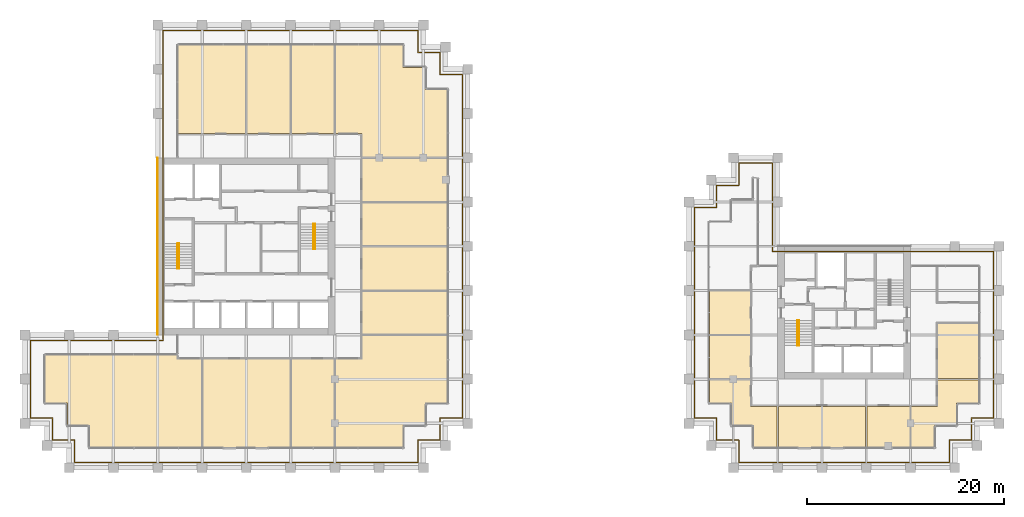
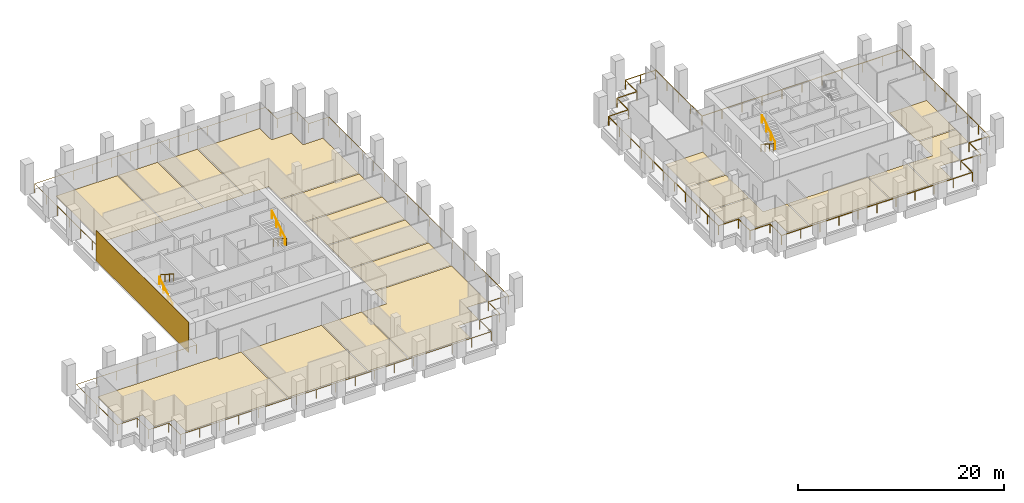
# One storey, part 46 of 47: 20 coverings, 8 railings.
"""IFC4 building model written with IfcOpenShell, lengths in metres."""

from ifc_helpers import new_model, si_unit, direction, frame, origin, origin_2d, place, context, subcontext, project, spatial, polyline, rectangle, circle, outline, extrude, source, transform, mapped, material, layer, layer_set, type_object, element, save


model = new_model("IFC4")

# Units and contexts
model_context = context("Model", 3, precision=1e-05, world=origin(), true_north=direction((0.0, 1.0)))
body_context = subcontext(model_context, "Body", "Model", "MODEL_VIEW")
ifc_project = project(units=[si_unit("LENGTHUNIT", "METRE"), si_unit("AREAUNIT", "SQUARE_METRE"), si_unit("VOLUMEUNIT", "CUBIC_METRE"), si_unit("PLANEANGLEUNIT", "RADIAN"), si_unit("MASSUNIT", "GRAM", prefix="KILO")], contexts=[model_context])

# Site, building, storey
site_placement = place(None, origin())
site = spatial("IfcSite", under=ifc_project, at=site_placement, CompositionType="ELEMENT")
building_placement = place(site_placement, origin())
building = spatial("IfcBuilding", under=site, at=building_placement, Name="Altepetl Exchange Towers", CompositionType="ELEMENT")
storey_placement = place(building_placement, frame((0.0, 0.0, 95.60009765625)))
storey = spatial("IfcBuildingStorey", under=building, at=storey_placement, Name="L23", CompositionType="ELEMENT", Elevation=95.60009765625)

# Coverings
ifc_material_1 = material(Name="Carpet tile")
ifc_layer_1 = layer(ifc_material_1, 0.02001953125)
ifc_layer_set_1 = layer_set([ifc_layer_1], Name="Carpet tile")
covering_type_1 = type_object("IfcCoveringType", Name="Carpet tile floor", PredefinedType="FLOORING", material=ifc_layer_set_1)
covering_1_placement = place(storey_placement, origin())
element("IfcCovering", 1, at=covering_1_placement, inside=storey, type_object=covering_type_1, Name="Open office floor finish A23.01", PredefinedType="FLOORING", context=body_context, shape_type="SweptSolid", body=[
    extrude(outline(polyline([(33.5625, 29.0625), (44.9375, 29.0625), (44.9375, 38.03759765625), (42.4375, 38.03759765625), (42.4375, 38.4375), (29.0625, 38.4375), (29.0625, 33.5625), (31.3125, 33.5625), (31.3125, 31.3125), (33.5625, 31.3125), (33.5625, 29.0625)])), origin(), (0.0, 0.0, 1.0), 0.02001953125),
])
covering_2_placement = place(storey_placement, origin())
element("IfcCovering", 2, at=covering_2_placement, inside=storey, type_object=covering_type_1, Name="Cowork office floor finish A23.04", PredefinedType="FLOORING", context=body_context, shape_type="SweptSolid", body=[
    extrude(outline(polyline([(58.5625, 38.03759765625), (58.5625, 29.0625), (65.4375, 29.0625), (65.4375, 31.3125), (67.6875, 31.3125), (67.6875, 33.5625), (69.9375, 33.5625), (69.9375, 40.4375), (61.262451171875, 40.4375), (61.262451171875, 38.03759765625), (58.5625, 38.03759765625)])), origin(), (0.0, 0.0, 1.0), 0.02001953125),
])
covering_3_placement = place(storey_placement, origin())
element("IfcCovering", 3, at=covering_3_placement, inside=storey, type_object=covering_type_1, Name="Meeting room floor finish A23.05", PredefinedType="FLOORING", context=body_context, shape_type="SweptSolid", body=[
    extrude(outline(polyline([(69.9375, 44.9375), (61.262451171875, 44.9375), (61.262451171875, 40.5625), (69.9375, 40.5625), (69.9375, 44.9375)])), origin(), (0.0, 0.0, 1.0), 0.02001953125),
])
covering_4_placement = place(storey_placement, origin())
element("IfcCovering", 4, at=covering_4_placement, inside=storey, type_object=covering_type_1, Name="Training room floor finish A23.06", PredefinedType="FLOORING", context=body_context, shape_type="SweptSolid", body=[
    extrude(outline(polyline([(69.9375, 49.4375), (61.262451171875, 49.4375), (61.262451171875, 45.0625), (69.9375, 45.0625), (69.9375, 49.4375)])), origin(), (0.0, 0.0, 1.0), 0.02001953125),
])
covering_5_placement = place(storey_placement, origin())
element("IfcCovering", 5, at=covering_5_placement, inside=storey, type_object=covering_type_1, Name="Meeting room floor finish A23.07", PredefinedType="FLOORING", context=body_context, shape_type="SweptSolid", body=[
    extrude(outline(polyline([(69.9375, 53.9375), (61.262451171875, 53.9375), (61.262451171875, 49.5625), (69.9375, 49.5625), (69.9375, 53.9375)])), origin(), (0.0, 0.0, 1.0), 0.02001953125),
])
covering_6_placement = place(storey_placement, origin())
element("IfcCovering", 6, at=covering_6_placement, inside=storey, type_object=covering_type_1, Name="Training room floor finish A23.08", PredefinedType="FLOORING", context=body_context, shape_type="SweptSolid", body=[
    extrude(outline(polyline([(69.9375, 58.4375), (61.262451171875, 58.4375), (61.262451171875, 54.0625), (69.9375, 54.0625), (69.9375, 58.4375)])), origin(), (0.0, 0.0, 1.0), 0.02001953125),
])
covering_7_placement = place(storey_placement, origin())
element("IfcCovering", 7, at=covering_7_placement, inside=storey, type_object=covering_type_1, Name="Cowork office floor finish A23.10", PredefinedType="FLOORING", context=body_context, shape_type="SweptSolid", body=[
    extrude(outline(polyline([(58.4375, 60.96240234375), (58.4375, 69.9375), (54.0625, 69.9375), (54.0625, 60.96240234375), (58.4375, 60.96240234375)])), origin(), (0.0, 0.0, 1.0), 0.02001953125),
])
covering_8_placement = place(storey_placement, origin())
element("IfcCovering", 8, at=covering_8_placement, inside=storey, type_object=covering_type_1, Name="Open office floor finish A23.12", PredefinedType="FLOORING", context=body_context, shape_type="SweptSolid", body=[
    extrude(outline(polyline([(49.4375, 60.96240234375), (49.4375, 69.9375), (42.5625, 69.9375), (42.5625, 60.96240234375), (49.4375, 60.96240234375)])), origin(), (0.0, 0.0, 1.0), 0.02001953125),
])
covering_9_placement = place(storey_placement, origin())
element("IfcCovering", 9, at=covering_9_placement, inside=storey, type_object=covering_type_1, Name="Huddle room floor finish B23.01", PredefinedType="FLOORING", context=body_context, shape_type="SweptSolid", body=[
    extrude(outline(polyline([(100.737548828125, 44.9375), (96.5625, 44.9375), (96.5625, 40.5625), (100.737548828125, 40.5625), (100.737548828125, 44.9375)])), origin(), (0.0, 0.0, 1.0), 0.02001953125),
])
covering_10_placement = place(storey_placement, origin())
element("IfcCovering", 10, at=covering_10_placement, inside=storey, type_object=covering_type_1, Name="Huddle room floor finish B23.02", PredefinedType="FLOORING", context=body_context, shape_type="SweptSolid", body=[
    extrude(outline(polyline([(100.737548828125, 40.4375), (96.5625, 40.4375), (96.5625, 36.0625), (100.737548828125, 36.0625), (100.737548828125, 40.4375)])), origin(), (0.0, 0.0, 1.0), 0.02001953125),
])
covering_11_placement = place(storey_placement, origin())
element("IfcCovering", 11, at=covering_11_placement, inside=storey, type_object=covering_type_1, Name="Open office floor finish B23.03", PredefinedType="FLOORING", context=body_context, shape_type="SweptSolid", body=[
    extrude(outline(polyline([(100.737548828125, 35.9375), (96.5625, 35.9375), (96.5625, 33.5625), (98.8125, 33.5625), (98.8125, 31.3125), (101.0625, 31.3125), (101.0625, 29.0625), (103.4375, 29.0625), (103.4375, 33.237548828125), (100.737548828125, 33.237548828125), (100.737548828125, 35.9375)])), origin(), (0.0, 0.0, 1.0), 0.02001953125),
])
covering_12_placement = place(storey_placement, origin())
element("IfcCovering", 12, at=covering_12_placement, inside=storey, type_object=covering_type_1, Name="Huddle room floor finish B23.05", PredefinedType="FLOORING", context=body_context, shape_type="SweptSolid", body=[
    extrude(outline(polyline([(112.5625, 33.237548828125), (112.5625, 29.0625), (116.9375, 29.0625), (116.9375, 33.237548828125), (112.5625, 33.237548828125)])), origin(), (0.0, 0.0, 1.0), 0.02001953125),
])
covering_13_placement = place(storey_placement, origin())
element("IfcCovering", 13, at=covering_13_placement, inside=storey, type_object=covering_type_1, Name="Open office floor finish B23.06", PredefinedType="FLOORING", context=body_context, shape_type="SweptSolid", body=[
    extrude(outline(polyline([(117.0625, 33.237548828125), (117.0625, 29.0625), (119.4375, 29.0625), (119.4375, 31.3125), (121.6875, 31.3125), (121.6875, 33.5625), (123.9375, 33.5625), (123.9375, 35.9375), (119.762451171875, 35.9375), (119.762451171875, 33.237548828125), (117.0625, 33.237548828125)])), origin(), (0.0, 0.0, 1.0), 0.02001953125),
])
covering_14_placement = place(storey_placement, origin())
element("IfcCovering", 14, at=covering_14_placement, inside=storey, type_object=covering_type_1, Name="Research office floor finish B23.07", PredefinedType="FLOORING", context=body_context, shape_type="SweptSolid", body=[
    extrude(outline(polyline([(119.762451171875, 41.637451171875), (119.762451171875, 36.0625), (123.9375, 36.0625), (123.9375, 41.637451171875), (119.762451171875, 41.637451171875)])), origin(), (0.0, 0.0, 1.0), 0.02001953125),
])
ifc_material_2 = material(Name="Cantera stone", Category="masonry")
ifc_layer_2 = layer(ifc_material_2, 0.030029296875)
ifc_layer_set_2 = layer_set([ifc_layer_2], Name="Cantera stone")
covering_type_2 = type_object("IfcCoveringType", Name="Polished stone floor", PredefinedType="FLOORING", material=ifc_layer_set_2)
covering_15_placement = place(storey_placement, origin())
element("IfcCovering", 15, at=covering_15_placement, inside=storey, type_object=covering_type_2, Name="Cafe floor finish A23.02", PredefinedType="FLOORING", context=body_context, shape_type="SweptSolid", body=[
    extrude(outline(polyline([(45.0625, 38.03759765625), (45.0625, 29.0625), (53.9375, 29.0625), (53.9375, 38.03759765625), (45.0625, 38.03759765625)])), origin(), (0.0, 0.0, 1.0), 0.02978515625),
])
covering_16_placement = place(storey_placement, origin())
element("IfcCovering", 16, at=covering_16_placement, inside=storey, type_object=covering_type_2, Name="Cafe floor finish A23.03", PredefinedType="FLOORING", context=body_context, shape_type="SweptSolid", body=[
    extrude(outline(polyline([(54.0625, 38.03759765625), (54.0625, 29.0625), (58.4375, 29.0625), (58.4375, 38.03759765625), (54.0625, 38.03759765625)])), origin(), (0.0, 0.0, 1.0), 0.02978515625),
])
covering_17_placement = place(storey_placement, origin())
element("IfcCovering", 17, at=covering_17_placement, inside=storey, type_object=covering_type_2, Name="Cafe floor finish A23.09", PredefinedType="FLOORING", context=body_context, shape_type="SweptSolid", body=[
    extrude(outline(polyline([(65.4375, 69.9375), (58.5625, 69.9375), (58.5625, 60.96240234375), (61.262451171875, 60.96240234375), (61.262451171875, 58.5625), (69.9375, 58.5625), (69.9375, 65.4375), (67.6875, 65.4375), (67.6875, 67.6875), (65.4375, 67.6875), (65.4375, 69.9375)])), origin(), (0.0, 0.0, 1.0), 0.02978515625),
])
covering_18_placement = place(storey_placement, origin())
element("IfcCovering", 18, at=covering_18_placement, inside=storey, type_object=covering_type_2, Name="Cafe floor finish A23.11", PredefinedType="FLOORING", context=body_context, shape_type="SweptSolid", body=[
    extrude(outline(polyline([(53.9375, 60.96240234375), (53.9375, 69.9375), (49.5625, 69.9375), (49.5625, 60.96240234375), (53.9375, 60.96240234375)])), origin(), (0.0, 0.0, 1.0), 0.02978515625),
])
covering_19_placement = place(storey_placement, origin())
element("IfcCovering", 19, at=covering_19_placement, inside=storey, type_object=covering_type_2, Name="Staff club floor finish B23.04", PredefinedType="FLOORING", context=body_context, shape_type="SweptSolid", body=[
    extrude(outline(polyline([(103.5625, 33.237548828125), (103.5625, 29.0625), (112.4375, 29.0625), (112.4375, 33.237548828125), (103.5625, 33.237548828125)])), origin(), (0.0, 0.0, 1.0), 0.02978515625),
])
ifc_material_3 = material(Name="Cantera limestone cladding", Category="masonry")
ifc_layer_3 = layer(ifc_material_3, 0.0400390625)
ifc_layer_set_3 = layer_set([ifc_layer_3], Name="Cantera limestone cladding")
covering_type_3 = type_object("IfcCoveringType", Name="Stone panel 40 cantera", PredefinedType="CLADDING", material=ifc_layer_set_3)
covering_20_placement = place(storey_placement, frame((40.47998046875, 49.5, -0.000244140625), z_axis=(0.0, 0.0, 1.0), x_axis=(0.0, -1.0, 0.0)))
element("IfcCovering", 20, at=covering_20_placement, inside=storey, type_object=covering_type_3, Name="Stone cladding panel", PredefinedType="CLADDING", context=body_context, shape_type="SweptSolid", body=[
    extrude(rectangle(XDim=18.0, YDim=0.0400390625, at=origin_2d()), origin(), (0.0, 0.0, 1.0), 3.60009765625),
])

# Railings
ifc_material_4 = material(Name="Steel S355", Category="steel")
railing_type_1 = type_object("IfcRailingType", Name="Guard 1100 steel posts and rail", PredefinedType="GUARDRAIL", material=ifc_material_4)
shared_shape_1 = source(origin(), body_context, "Body", "SweptSolid", [
    extrude(circle(Radius=0.02099609375, at=origin_2d()), origin(), (0.0, 0.0, 1.0), 1.052001953125),
])
railing_1_placement = place(storey_placement, frame((41.050048828125, 39.949951171875, 0.0)))
element("IfcRailing", 21, at=railing_1_placement, inside=storey, type_object=railing_type_1, Name="Loggia guard", PredefinedType="GUARDRAIL", context=body_context, shape_type="SweptSolid", body=[
    extrude(circle(Radius=0.02392578125, at=origin_2d()), frame((0.0, 0.0, 1.076171875), z_axis=(-1.0, 0.0, 0.0), x_axis=(0.0, -1.0, 0.0)), (0.0, 0.0, 1.0), 13.5),
    extrude(circle(Radius=0.02392578125, at=origin_2d()), frame((-13.5, 0.0, 1.076171875), z_axis=(0.0, -1.0, 0.0), x_axis=(1.0, 0.0, 0.0)), (0.0, 0.0, 1.0), 7.89990234375),
    extrude(circle(Radius=0.02392578125, at=origin_2d()), frame((-13.5, -7.89990234375, 1.076171875), z_axis=(1.0, 0.0, 0.0), x_axis=(0.0, 1.0, 0.0)), (0.0, 0.0, 1.0), 2.25),
    extrude(circle(Radius=0.02392578125, at=origin_2d()), frame((-11.25, -7.89990234375, 1.076171875), z_axis=(0.0, -1.0, 0.0), x_axis=(1.0, 0.0, 0.0)), (0.0, 0.0, 1.0), 2.25),
    extrude(circle(Radius=0.02392578125, at=origin_2d()), frame((-11.25, -10.14990234375, 1.076171875), z_axis=(1.0, 0.0, 0.0), x_axis=(0.0, 1.0, 0.0)), (0.0, 0.0, 1.0), 2.25),
    extrude(circle(Radius=0.02392578125, at=origin_2d()), frame((-9.0, -10.14990234375, 1.076171875), z_axis=(0.0, -1.0, 0.0), x_axis=(1.0, 0.0, 0.0)), (0.0, 0.0, 1.0), 2.25),
    extrude(circle(Radius=0.02392578125, at=origin_2d()), frame((-9.0, -12.39990234375, 1.076171875), z_axis=(1.0, 0.0, 0.0), x_axis=(0.0, 1.0, 0.0)), (0.0, 0.0, 1.0), 34.89990234375),
    extrude(circle(Radius=0.02392578125, at=origin_2d()), frame((25.89990234375, -12.39990234375, 1.076171875), z_axis=(0.0, 1.0, 0.0), x_axis=(-1.0, 0.0, 0.0)), (0.0, 0.0, 1.0), 2.25),
    extrude(circle(Radius=0.02392578125, at=origin_2d()), frame((25.89990234375, -10.14990234375, 1.076171875), z_axis=(1.0, 0.0, 0.0), x_axis=(0.0, 1.0, 0.0)), (0.0, 0.0, 1.0), 2.25),
    extrude(circle(Radius=0.02392578125, at=origin_2d()), frame((28.14990234375, -10.14990234375, 1.076171875), z_axis=(0.0, 1.0, 0.0), x_axis=(-1.0, 0.0, 0.0)), (0.0, 0.0, 1.0), 2.25),
    extrude(circle(Radius=0.02392578125, at=origin_2d()), frame((28.14990234375, -7.89990234375, 1.076171875), z_axis=(1.0, 0.0, 0.0), x_axis=(0.0, 1.0, 0.0)), (0.0, 0.0, 1.0), 2.25),
    extrude(circle(Radius=0.02392578125, at=origin_2d()), frame((30.39990234375, -7.89990234375, 1.076171875), z_axis=(0.0, 1.0, 0.0), x_axis=(-1.0, 0.0, 0.0)), (0.0, 0.0, 1.0), 34.89990234375),
    extrude(circle(Radius=0.02392578125, at=origin_2d()), frame((30.39990234375, 27.0, 1.076171875), z_axis=(-1.0, 0.0, 0.0), x_axis=(0.0, -1.0, 0.0)), (0.0, 0.0, 1.0), 2.25),
    extrude(circle(Radius=0.02392578125, at=origin_2d()), frame((28.14990234375, 27.0, 1.076171875), z_axis=(0.0, 1.0, 0.0), x_axis=(-1.0, 0.0, 0.0)), (0.0, 0.0, 1.0), 2.25),
    extrude(circle(Radius=0.02392578125, at=origin_2d()), frame((28.14990234375, 29.25, 1.076171875), z_axis=(-1.0, 0.0, 0.0), x_axis=(0.0, -1.0, 0.0)), (0.0, 0.0, 1.0), 2.25),
    extrude(circle(Radius=0.02392578125, at=origin_2d()), frame((25.89990234375, 29.25, 1.076171875), z_axis=(0.0, 1.0, 0.0), x_axis=(-1.0, 0.0, 0.0)), (0.0, 0.0, 1.0), 2.25),
    extrude(circle(Radius=0.02392578125, at=origin_2d()), frame((25.89990234375, 31.5, 1.076171875), z_axis=(-1.0, 0.0, 0.0), x_axis=(0.0, -1.0, 0.0)), (0.0, 0.0, 1.0), 25.89990234375),
    extrude(circle(Radius=0.02392578125, at=origin_2d()), frame((0.0, 31.5, 1.076171875), z_axis=(0.0, -1.0, 0.0), x_axis=(1.0, 0.0, 0.0)), (0.0, 0.0, 1.0), 31.39990234375),
    mapped(shared_shape_1, transform((0.0, 0.0, 0.0))),
    mapped(shared_shape_1, transform((-2.25, 0.0, 0.0))),
    mapped(shared_shape_1, transform((-4.5, 0.0, 0.0))),
    mapped(shared_shape_1, transform((-6.75, 0.0, 0.0))),
    mapped(shared_shape_1, transform((-9.0, 0.0, 0.0))),
    mapped(shared_shape_1, transform((-11.25, 0.0, 0.0))),
    mapped(shared_shape_1, transform((-13.5, 0.0, 0.0))),
    mapped(shared_shape_1, transform((-13.5, -1.97509765625, 0.0))),
    mapped(shared_shape_1, transform((-13.5, -3.949951171875, 0.0))),
    mapped(shared_shape_1, transform((-13.5, -5.9248046875, 0.0))),
    mapped(shared_shape_1, transform((-13.5, -7.89990234375, 0.0))),
    mapped(shared_shape_1, transform((-11.25, -7.89990234375, 0.0))),
    mapped(shared_shape_1, transform((-11.25, -10.14990234375, 0.0))),
    mapped(shared_shape_1, transform((-9.0, -10.14990234375, 0.0))),
    mapped(shared_shape_1, transform((-9.0, -12.39990234375, 0.0))),
    mapped(shared_shape_1, transform((-6.81884765625, -12.39990234375, 0.0))),
    mapped(shared_shape_1, transform((-4.637451171875, -12.39990234375, 0.0))),
    mapped(shared_shape_1, transform((-2.456298828125, -12.39990234375, 0.0))),
    mapped(shared_shape_1, transform((-0.27490234375, -12.39990234375, 0.0))),
    mapped(shared_shape_1, transform((1.90625, -12.39990234375, 0.0))),
    mapped(shared_shape_1, transform((4.08740234375, -12.39990234375, 0.0))),
    mapped(shared_shape_1, transform((6.268798828125, -12.39990234375, 0.0))),
    mapped(shared_shape_1, transform((8.449951171875, -12.39990234375, 0.0))),
    mapped(shared_shape_1, transform((10.631103515625, -12.39990234375, 0.0))),
    mapped(shared_shape_1, transform((12.8125, -12.39990234375, 0.0))),
    mapped(shared_shape_1, transform((14.99365234375, -12.39990234375, 0.0))),
    mapped(shared_shape_1, transform((17.1748046875, -12.39990234375, 0.0))),
    mapped(shared_shape_1, transform((19.356201171875, -12.39990234375, 0.0))),
    mapped(shared_shape_1, transform((21.537353515625, -12.39990234375, 0.0))),
    mapped(shared_shape_1, transform((23.71875, -12.39990234375, 0.0))),
    mapped(shared_shape_1, transform((25.89990234375, -12.39990234375, 0.0))),
    mapped(shared_shape_1, transform((25.89990234375, -10.14990234375, 0.0))),
    mapped(shared_shape_1, transform((28.14990234375, -10.14990234375, 0.0))),
    mapped(shared_shape_1, transform((28.14990234375, -7.89990234375, 0.0))),
    mapped(shared_shape_1, transform((30.39990234375, -7.89990234375, 0.0))),
    mapped(shared_shape_1, transform((30.39990234375, -5.71875, 0.0))),
    mapped(shared_shape_1, transform((30.39990234375, -3.537353515625, 0.0))),
    mapped(shared_shape_1, transform((30.39990234375, -1.356201171875, 0.0))),
    mapped(shared_shape_1, transform((30.39990234375, 0.8251953125, 0.0))),
    mapped(shared_shape_1, transform((30.39990234375, 3.00634765625, 0.0))),
    mapped(shared_shape_1, transform((30.39990234375, 5.1875, 0.0))),
    mapped(shared_shape_1, transform((30.39990234375, 7.368896484375, 0.0))),
    mapped(shared_shape_1, transform((30.39990234375, 9.550048828125, 0.0))),
    mapped(shared_shape_1, transform((30.39990234375, 11.731201171875, 0.0))),
    mapped(shared_shape_1, transform((30.39990234375, 13.91259765625, 0.0))),
    mapped(shared_shape_1, transform((30.39990234375, 16.09375, 0.0))),
    mapped(shared_shape_1, transform((30.39990234375, 18.27490234375, 0.0))),
    mapped(shared_shape_1, transform((30.39990234375, 20.456298828125, 0.0))),
    mapped(shared_shape_1, transform((30.39990234375, 22.637451171875, 0.0))),
    mapped(shared_shape_1, transform((30.39990234375, 24.81884765625, 0.0))),
    mapped(shared_shape_1, transform((30.39990234375, 27.0, 0.0))),
    mapped(shared_shape_1, transform((28.14990234375, 27.0, 0.0))),
    mapped(shared_shape_1, transform((28.14990234375, 29.25, 0.0))),
    mapped(shared_shape_1, transform((25.89990234375, 29.25, 0.0))),
    mapped(shared_shape_1, transform((25.89990234375, 31.5, 0.0))),
    mapped(shared_shape_1, transform((23.74169921875, 31.5, 0.0))),
    mapped(shared_shape_1, transform((21.583251953125, 31.5, 0.0))),
    mapped(shared_shape_1, transform((19.4248046875, 31.5, 0.0))),
    mapped(shared_shape_1, transform((17.2666015625, 31.5, 0.0))),
    mapped(shared_shape_1, transform((15.1083984375, 31.5, 0.0))),
    mapped(shared_shape_1, transform((12.949951171875, 31.5, 0.0))),
    mapped(shared_shape_1, transform((10.79150390625, 31.5, 0.0))),
    mapped(shared_shape_1, transform((8.63330078125, 31.5, 0.0))),
    mapped(shared_shape_1, transform((6.47509765625, 31.5, 0.0))),
    mapped(shared_shape_1, transform((4.316650390625, 31.5, 0.0))),
    mapped(shared_shape_1, transform((2.158203125, 31.5, 0.0))),
    mapped(shared_shape_1, transform((0.0, 31.5, 0.0))),
    mapped(shared_shape_1, transform((0.0, 29.257080078125, 0.0))),
    mapped(shared_shape_1, transform((0.0, 27.014404296875, 0.0))),
    mapped(shared_shape_1, transform((0.0, 24.771484375, 0.0))),
    mapped(shared_shape_1, transform((0.0, 22.528564453125, 0.0))),
    mapped(shared_shape_1, transform((0.0, 20.28564453125, 0.0))),
    mapped(shared_shape_1, transform((0.0, 18.04296875, 0.0))),
    mapped(shared_shape_1, transform((0.0, 15.800048828125, 0.0))),
    mapped(shared_shape_1, transform((0.0, 13.55712890625, 0.0))),
    mapped(shared_shape_1, transform((0.0, 11.314453125, 0.0))),
    mapped(shared_shape_1, transform((0.0, 9.071533203125, 0.0))),
    mapped(shared_shape_1, transform((0.0, 6.82861328125, 0.0))),
    mapped(shared_shape_1, transform((0.0, 4.585693359375, 0.0))),
    mapped(shared_shape_1, transform((0.0, 2.343017578125, 0.0))),
    mapped(shared_shape_1, transform((0.0, 0.10009765625, 0.0))),
])
railing_2_placement = place(storey_placement, frame((95.050048828125, 53.449951171875, 0.0)))
element("IfcRailing", 22, at=railing_2_placement, inside=storey, type_object=railing_type_1, Name="Loggia guard", PredefinedType="GUARDRAIL", context=body_context, shape_type="SweptSolid", body=[
    extrude(circle(Radius=0.02392578125, at=origin_2d()), frame((0.0, 0.0, 1.076171875), z_axis=(0.0, -1.0, 0.0), x_axis=(1.0, 0.0, 0.0)), (0.0, 0.0, 1.0), 21.39990234375),
    extrude(circle(Radius=0.02392578125, at=origin_2d()), frame((0.0, -21.39990234375, 1.076171875), z_axis=(1.0, 0.0, 0.0), x_axis=(0.0, 1.0, 0.0)), (0.0, 0.0, 1.0), 2.25),
    extrude(circle(Radius=0.02392578125, at=origin_2d()), frame((2.25, -21.39990234375, 1.076171875), z_axis=(0.0, -1.0, 0.0), x_axis=(1.0, 0.0, 0.0)), (0.0, 0.0, 1.0), 2.25),
    extrude(circle(Radius=0.02392578125, at=origin_2d()), frame((2.25, -23.64990234375, 1.076171875), z_axis=(1.0, 0.0, 0.0), x_axis=(0.0, 1.0, 0.0)), (0.0, 0.0, 1.0), 2.25),
    extrude(circle(Radius=0.02392578125, at=origin_2d()), frame((4.5, -23.64990234375, 1.076171875), z_axis=(0.0, -1.0, 0.0), x_axis=(1.0, 0.0, 0.0)), (0.0, 0.0, 1.0), 2.25),
    extrude(circle(Radius=0.02392578125, at=origin_2d()), frame((4.5, -25.89990234375, 1.076171875), z_axis=(1.0, 0.0, 0.0), x_axis=(0.0, 1.0, 0.0)), (0.0, 0.0, 1.0), 21.39990234375),
    extrude(circle(Radius=0.02392578125, at=origin_2d()), frame((25.89990234375, -25.89990234375, 1.076171875), z_axis=(0.0, 1.0, 0.0), x_axis=(-1.0, 0.0, 0.0)), (0.0, 0.0, 1.0), 2.25),
    extrude(circle(Radius=0.02392578125, at=origin_2d()), frame((25.89990234375, -23.64990234375, 1.076171875), z_axis=(1.0, 0.0, 0.0), x_axis=(0.0, 1.0, 0.0)), (0.0, 0.0, 1.0), 2.25),
    extrude(circle(Radius=0.02392578125, at=origin_2d()), frame((28.14990234375, -23.64990234375, 1.076171875), z_axis=(0.0, 1.0, 0.0), x_axis=(-1.0, 0.0, 0.0)), (0.0, 0.0, 1.0), 2.25),
    extrude(circle(Radius=0.02392578125, at=origin_2d()), frame((28.14990234375, -21.39990234375, 1.076171875), z_axis=(1.0, 0.0, 0.0), x_axis=(0.0, 1.0, 0.0)), (0.0, 0.0, 1.0), 2.25),
    extrude(circle(Radius=0.02392578125, at=origin_2d()), frame((30.39990234375, -21.39990234375, 1.076171875), z_axis=(0.0, 1.0, 0.0), x_axis=(-1.0, 0.0, 0.0)), (0.0, 0.0, 1.0), 16.89990234375),
    extrude(circle(Radius=0.02392578125, at=origin_2d()), frame((30.39990234375, -4.5, 1.076171875), z_axis=(-1.0, 0.0, 0.0), x_axis=(0.0, -1.0, 0.0)), (0.0, 0.0, 1.0), 22.5),
    extrude(circle(Radius=0.02392578125, at=origin_2d()), frame((7.89990234375, -4.5, 1.076171875), z_axis=(0.0, 1.0, 0.0), x_axis=(-1.0, 0.0, 0.0)), (0.0, 0.0, 1.0), 9.0),
    extrude(circle(Radius=0.02392578125, at=origin_2d()), frame((7.89990234375, 4.5, 1.076171875), z_axis=(-1.0, 0.0, 0.0), x_axis=(0.0, -1.0, 0.0)), (0.0, 0.0, 1.0), 3.39990234375),
    extrude(circle(Radius=0.02392578125, at=origin_2d()), frame((4.5, 4.5, 1.076171875), z_axis=(0.0, -1.0, 0.0), x_axis=(1.0, 0.0, 0.0)), (0.0, 0.0, 1.0), 2.25),
    extrude(circle(Radius=0.02392578125, at=origin_2d()), frame((4.5, 2.25, 1.076171875), z_axis=(-1.0, 0.0, 0.0), x_axis=(0.0, -1.0, 0.0)), (0.0, 0.0, 1.0), 2.25),
    extrude(circle(Radius=0.02392578125, at=origin_2d()), frame((2.25, 2.25, 1.076171875), z_axis=(0.0, -1.0, 0.0), x_axis=(1.0, 0.0, 0.0)), (0.0, 0.0, 1.0), 2.25),
    extrude(circle(Radius=0.02392578125, at=origin_2d()), frame((2.25, 0.0, 1.076171875), z_axis=(-1.0, 0.0, 0.0), x_axis=(0.0, -1.0, 0.0)), (0.0, 0.0, 1.0), 2.150146484375),
    mapped(shared_shape_1, transform((0.0, 0.0, 0.0))),
    mapped(shared_shape_1, transform((0.0, -2.139892578125, 0.0))),
    mapped(shared_shape_1, transform((0.0, -4.280029296875, 0.0))),
    mapped(shared_shape_1, transform((0.0, -6.419921875, 0.0))),
    mapped(shared_shape_1, transform((0.0, -8.56005859375, 0.0))),
    mapped(shared_shape_1, transform((0.0, -10.699951171875, 0.0))),
    mapped(shared_shape_1, transform((0.0, -12.83984375, 0.0))),
    mapped(shared_shape_1, transform((0.0, -14.97998046875, 0.0))),
    mapped(shared_shape_1, transform((0.0, -17.119873046875, 0.0))),
    mapped(shared_shape_1, transform((0.0, -19.260009765625, 0.0))),
    mapped(shared_shape_1, transform((0.0, -21.39990234375, 0.0))),
    mapped(shared_shape_1, transform((2.25, -21.39990234375, 0.0))),
    mapped(shared_shape_1, transform((2.25, -23.64990234375, 0.0))),
    mapped(shared_shape_1, transform((4.5, -23.64990234375, 0.0))),
    mapped(shared_shape_1, transform((4.5, -25.89990234375, 0.0))),
    mapped(shared_shape_1, transform((6.639892578125, -25.89990234375, 0.0))),
    mapped(shared_shape_1, transform((8.780029296875, -25.89990234375, 0.0))),
    mapped(shared_shape_1, transform((10.919921875, -25.89990234375, 0.0))),
    mapped(shared_shape_1, transform((13.06005859375, -25.89990234375, 0.0))),
    mapped(shared_shape_1, transform((15.199951171875, -25.89990234375, 0.0))),
    mapped(shared_shape_1, transform((17.33984375, -25.89990234375, 0.0))),
    mapped(shared_shape_1, transform((19.47998046875, -25.89990234375, 0.0))),
    mapped(shared_shape_1, transform((21.619873046875, -25.89990234375, 0.0))),
    mapped(shared_shape_1, transform((23.760009765625, -25.89990234375, 0.0))),
    mapped(shared_shape_1, transform((25.89990234375, -25.89990234375, 0.0))),
    mapped(shared_shape_1, transform((25.89990234375, -23.64990234375, 0.0))),
    mapped(shared_shape_1, transform((28.14990234375, -23.64990234375, 0.0))),
    mapped(shared_shape_1, transform((28.14990234375, -21.39990234375, 0.0))),
    mapped(shared_shape_1, transform((30.39990234375, -21.39990234375, 0.0))),
    mapped(shared_shape_1, transform((30.39990234375, -19.287353515625, 0.0))),
    mapped(shared_shape_1, transform((30.39990234375, -17.1748046875, 0.0))),
    mapped(shared_shape_1, transform((30.39990234375, -15.0625, 0.0))),
    mapped(shared_shape_1, transform((30.39990234375, -12.949951171875, 0.0))),
    mapped(shared_shape_1, transform((30.39990234375, -10.83740234375, 0.0))),
    mapped(shared_shape_1, transform((30.39990234375, -8.72509765625, 0.0))),
    mapped(shared_shape_1, transform((30.39990234375, -6.612548828125, 0.0))),
    mapped(shared_shape_1, transform((30.39990234375, -4.5, 0.0))),
    mapped(shared_shape_1, transform((28.14990234375, -4.5, 0.0))),
    mapped(shared_shape_1, transform((25.89990234375, -4.5, 0.0))),
    mapped(shared_shape_1, transform((23.64990234375, -4.5, 0.0))),
    mapped(shared_shape_1, transform((21.39990234375, -4.5, 0.0))),
    mapped(shared_shape_1, transform((19.14990234375, -4.5, 0.0))),
    mapped(shared_shape_1, transform((16.89990234375, -4.5, 0.0))),
    mapped(shared_shape_1, transform((14.64990234375, -4.5, 0.0))),
    mapped(shared_shape_1, transform((12.39990234375, -4.5, 0.0))),
    mapped(shared_shape_1, transform((10.14990234375, -4.5, 0.0))),
    mapped(shared_shape_1, transform((7.89990234375, -4.5, 0.0))),
    mapped(shared_shape_1, transform((7.89990234375, -2.25, 0.0))),
    mapped(shared_shape_1, transform((7.89990234375, 0.0, 0.0))),
    mapped(shared_shape_1, transform((7.89990234375, 2.25, 0.0))),
    mapped(shared_shape_1, transform((7.89990234375, 4.5, 0.0))),
    mapped(shared_shape_1, transform((6.199951171875, 4.5, 0.0))),
    mapped(shared_shape_1, transform((4.5, 4.5, 0.0))),
    mapped(shared_shape_1, transform((4.5, 2.25, 0.0))),
    mapped(shared_shape_1, transform((2.25, 2.25, 0.0))),
    mapped(shared_shape_1, transform((2.25, 0.0, 0.0))),
    mapped(shared_shape_1, transform((0.099853515625, 0.0, 0.0))),
])
ifc_material_5 = material(Name="Steel", Category="steel")
railing_type_2 = type_object("IfcRailingType", Name="Stair handrail 50 steel tube", PredefinedType="HANDRAIL", material=ifc_material_5)
shared_shape_2 = source(origin(), body_context, "Body", "SweptSolid", [
    extrude(circle(Radius=0.02099609375, at=origin_2d()), origin(), (0.0, 0.0, 1.0), 0.851806640625),
])
railing_3_placement = place(storey_placement, frame((42.52001953125, 47.25, 0.179931640625)))
element("IfcRailing", 23, at=railing_3_placement, inside=storey, type_object=railing_type_2, Name="Stair handrail", PredefinedType="HANDRAIL", context=body_context, shape_type="SweptSolid", body=[
    extrude(circle(Radius=0.02392578125, at=origin_2d()), frame((0.0, 0.0, 0.8759765625), z_axis=(0.0, 0.841199657755, 0.540724639528), x_axis=(-1.0, 0.0, 0.0)), (0.0, 0.0, 1.0), 2.995849609375),
    mapped(shared_shape_2, transform((0.0, 0.0, 0.0))),
    mapped(shared_shape_2, transform((0.0, 0.840087890625, 0.5400390625))),
    mapped(shared_shape_2, transform((0.0, 1.679931640625, 1.079833984375))),
    mapped(shared_shape_2, transform((0.0, 2.52001953125, 1.619873046875))),
])
for number, where, name in (
    (24, (42.679931640625, 49.77001953125, 1.97998046875), "Stair handrail"),
    (25, (56.47998046875, 51.75, 0.179931640625), "Stair handrail"),
):
    element("IfcRailing", number, at=place(storey_placement, frame(where)), inside=storey, type_object=railing_type_2, Name=name, PredefinedType="HANDRAIL", context=body_context, shape_type="SweptSolid", body=[
        extrude(circle(Radius=0.02392578125, at=origin_2d()), frame((0.0, 0.0, 0.8759765625), z_axis=(0.0, -0.841199657755, 0.540724639528), x_axis=(1.0, 0.0, 0.0)), (0.0, 0.0, 1.0), 2.995849609375),
        mapped(shared_shape_2, transform((0.0, 0.0, 0.0))),
        mapped(shared_shape_2, transform((0.0, -0.840087890625, 0.5400390625))),
        mapped(shared_shape_2, transform((0.0, -1.679931640625, 1.079833984375))),
        mapped(shared_shape_2, transform((0.0, -2.52001953125, 1.619873046875))),
    ])
railing_4_placement = place(storey_placement, frame((56.320068359375, 49.22998046875, 1.97998046875)))
element("IfcRailing", 26, at=railing_4_placement, inside=storey, type_object=railing_type_2, Name="Stair handrail", PredefinedType="HANDRAIL", context=body_context, shape_type="SweptSolid", body=[
    extrude(circle(Radius=0.02392578125, at=origin_2d()), frame((0.0, 0.0, 0.8759765625), z_axis=(0.0, 0.841199657755, 0.540724639528), x_axis=(-1.0, 0.0, 0.0)), (0.0, 0.0, 1.0), 2.995849609375),
    mapped(shared_shape_2, transform((0.0, 0.0, 0.0))),
    mapped(shared_shape_2, transform((0.0, 0.840087890625, 0.5400390625))),
    mapped(shared_shape_2, transform((0.0, 1.679931640625, 1.079833984375))),
    mapped(shared_shape_2, transform((0.0, 2.52001953125, 1.619873046875))),
])
railing_5_placement = place(storey_placement, frame((105.52001953125, 41.949951171875, 0.179931640625)))
element("IfcRailing", 27, at=railing_5_placement, inside=storey, type_object=railing_type_2, Name="Stair handrail", PredefinedType="HANDRAIL", context=body_context, shape_type="SweptSolid", body=[
    extrude(circle(Radius=0.02392578125, at=origin_2d()), frame((0.0, 0.0, 0.8759765625), z_axis=(0.0, -0.841199657755, 0.540724639528), x_axis=(1.0, 0.0, 0.0)), (0.0, 0.0, 1.0), 2.995849609375),
    mapped(shared_shape_2, transform((0.0, 0.0, 0.0))),
    mapped(shared_shape_2, transform((0.0, -0.840087890625, 0.5400390625))),
    mapped(shared_shape_2, transform((0.0, -1.679931640625, 1.079833984375))),
    mapped(shared_shape_2, transform((0.0, -2.52001953125, 1.619873046875))),
])
railing_6_placement = place(storey_placement, frame((105.679931640625, 39.429931640625, 1.97998046875)))
element("IfcRailing", 28, at=railing_6_placement, inside=storey, type_object=railing_type_2, Name="Stair handrail", PredefinedType="HANDRAIL", context=body_context, shape_type="SweptSolid", body=[
    extrude(circle(Radius=0.02392578125, at=origin_2d()), frame((0.0, 0.0, 0.8759765625), z_axis=(0.0, 0.841199657755, 0.540724639528), x_axis=(-1.0, 0.0, 0.0)), (0.0, 0.0, 1.0), 2.995849609375),
    mapped(shared_shape_2, transform((0.0, 0.0, 0.0))),
    mapped(shared_shape_2, transform((0.0, 0.840087890625, 0.5400390625))),
    mapped(shared_shape_2, transform((0.0, 1.679931640625, 1.079833984375))),
    mapped(shared_shape_2, transform((0.0, 2.52001953125, 1.619873046875))),
])

save(model, "model.ifc")
